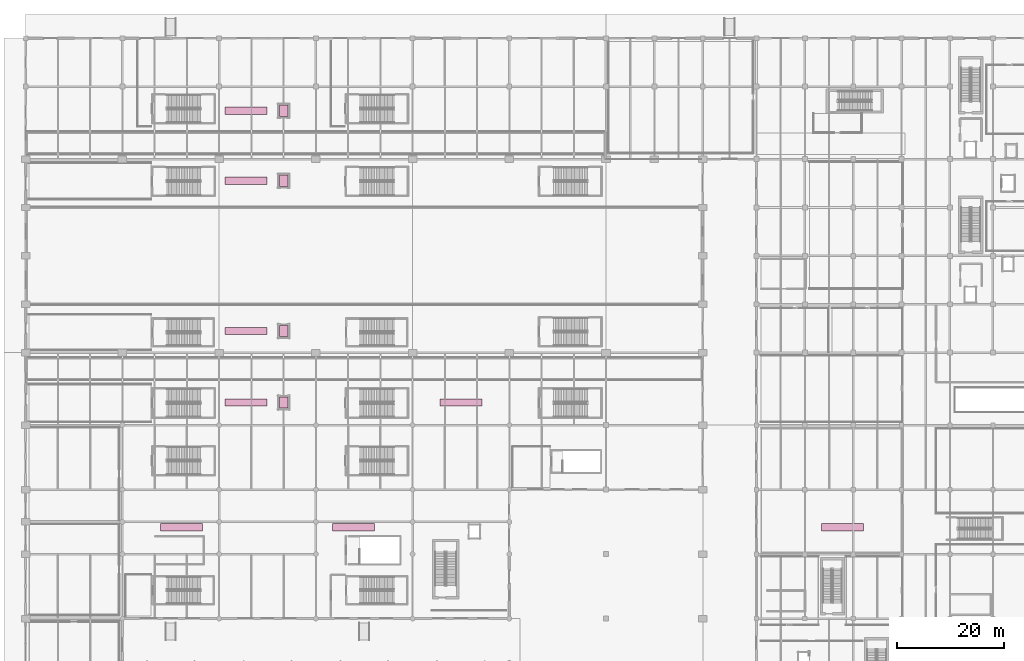
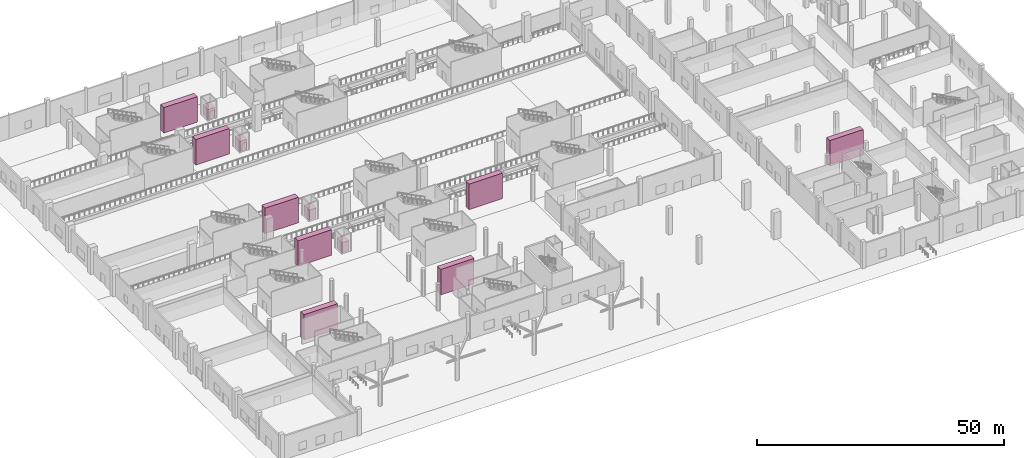
# One storey, part 65 of 65: 12 transport elements.
"""IFC4 building model written with IfcOpenShell, lengths in metres."""

from ifc_helpers import new_model, si_unit, direction, frame, origin, origin_2d, place, context, subcontext, project, spatial, rectangle, extrude, material, type_object, element, save


model = new_model("IFC4")

# Units and contexts
model_context = context("Model", 3, precision=1e-05, world=origin(), true_north=direction((0.0, 1.0)))
body_context = subcontext(model_context, "Body", "Model", "MODEL_VIEW")
ifc_project = project(units=[si_unit("LENGTHUNIT", "METRE"), si_unit("AREAUNIT", "SQUARE_METRE"), si_unit("VOLUMEUNIT", "CUBIC_METRE"), si_unit("PLANEANGLEUNIT", "RADIAN"), si_unit("MASSUNIT", "GRAM", prefix="KILO")], contexts=[model_context])

# Site, building, storey
site_placement = place(None, origin())
site = spatial("IfcSite", under=ifc_project, at=site_placement, CompositionType="ELEMENT")
building_placement = place(site_placement, origin())
building = spatial("IfcBuilding", under=site, at=building_placement, Name="Chuanluo Vaults Station", CompositionType="ELEMENT")
storey_placement = place(building_placement, origin())
storey = spatial("IfcBuildingStorey", under=building, at=storey_placement, Name="L00", CompositionType="ELEMENT", Elevation=0.0)

# Transport elements
ifc_material_1 = material(Name="Brushed stainless steel 304", Category="steel")
transport_element_type_1 = type_object("IfcTransportElementType", Name="TRN-ESC-1000", PredefinedType="ESCALATOR", material=ifc_material_1)
for number, where, z_axis, x_axis, name in (
    (1, (29.0, 35.0, 0.0), (0.0, 0.0, 1.0), (1.0, 0.0, 0.0), "Passenger escalator ESC-01"),
    (2, (61.0, 35.0, 0.0), (0.0, 0.0, 1.0), (1.0, 0.0, 0.0), "Passenger escalator ESC-02"),
    (3, (41.0, 58.199951171875, 0.0), (0.0, 0.0, 1.0), (1.0, 0.0, 0.0), "Passenger escalator ESC-03"),
    (4, (81.0, 58.199951171875, 0.0), (0.0, 0.0, 1.0), (1.0, 0.0, 0.0), "Passenger escalator ESC-04"),
    (5, (41.0, 71.5, 0.0), (0.0, 0.0, 1.0), (1.0, 0.0, 0.0), "Passenger escalator ESC-05"),
    (6, (41.0, 99.5, 0.0), (0.0, 0.0, 1.0), (1.0, 0.0, 0.0), "Passenger escalator ESC-06"),
    (7, (41.0, 112.5, 0.0), (0.0, 0.0, 1.0), (1.0, 0.0, 0.0), "Passenger escalator ESC-07"),
    (8, (152.0, 35.0, 0.0), (0.0, 0.0, 1.0), (1.0, 0.0, 0.0), "Passenger escalator ESC-08"),
):
    element("IfcTransportElement", number, at=place(storey_placement, frame(where, z_axis=z_axis, x_axis=x_axis)), inside=storey, type_object=transport_element_type_1, Name=name, PredefinedType="ESCALATOR", context=body_context, shape_type="SweptSolid", body=[
        extrude(rectangle(XDim=7.800048828125, YDim=1.35009765625, at=origin_2d()), origin(), (0.0, 0.0, 1.0), 6.300048828125),
    ])
ifc_material_2 = material(Name="Brushed stainless steel 304", Category="steel")
transport_element_type_2 = type_object("IfcTransportElementType", Name="TRN-LIFT-PAX", PredefinedType="ELEVATOR", material=ifc_material_2)
for number, where, z_axis, x_axis, name in (
    (9, (48.0, 58.199951171875, 0.0), (0.0, 0.0, 1.0), (1.0, 0.0, 0.0), "Lift car PL-01"),
    (10, (48.0, 71.5, 0.0), (0.0, 0.0, 1.0), (1.0, 0.0, 0.0), "Lift car PL-02"),
    (11, (48.0, 99.5, 0.0), (0.0, 0.0, 1.0), (1.0, 0.0, 0.0), "Lift car PL-03"),
    (12, (48.0, 112.5, 0.0), (0.0, 0.0, 1.0), (1.0, 0.0, 0.0), "Lift car PL-04"),
):
    element("IfcTransportElement", number, at=place(storey_placement, frame(where, z_axis=z_axis, x_axis=x_axis)), inside=storey, type_object=transport_element_type_2, Name=name, PredefinedType="ELEVATOR", context=body_context, shape_type="SweptSolid", body=[
        extrude(rectangle(XDim=1.60009765625, YDim=2.10009765625, at=origin_2d()), origin(), (0.0, 0.0, 1.0), 2.5),
    ])

save(model, "model.ifc")
